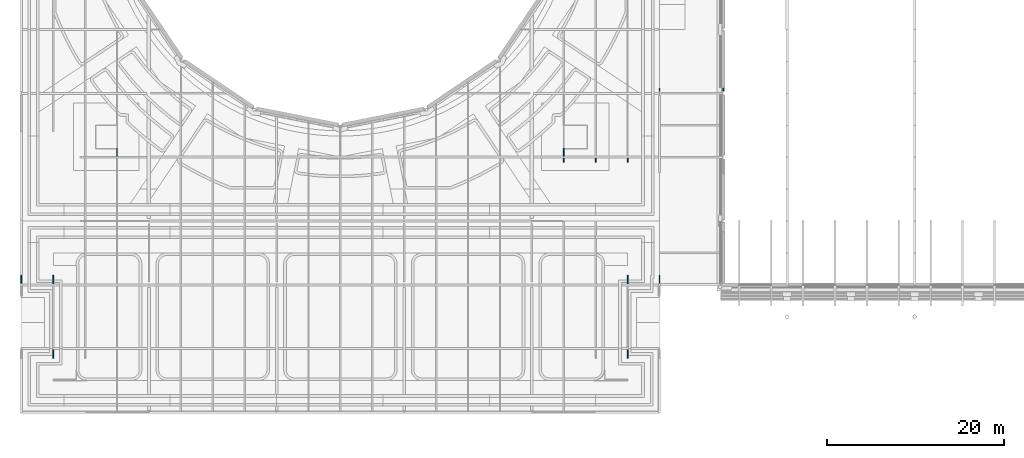
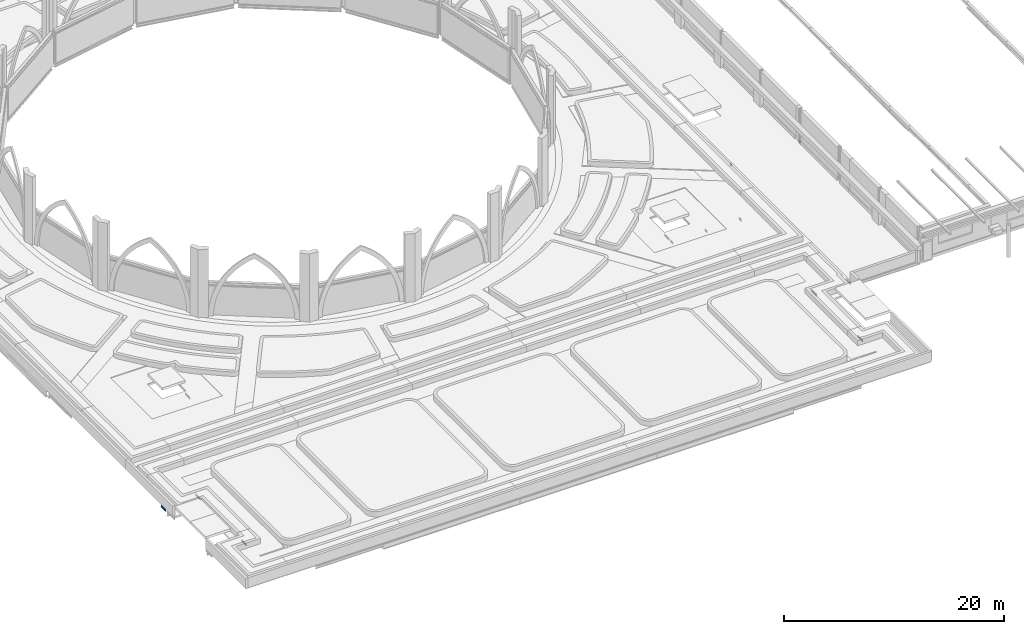
# One storey, part 33 of 110: 13 beams.
"""IFC4 building model written with IfcOpenShell, lengths in metres."""

import ifcopenshell
import ifcopenshell.guid

model = None  # the IFC model being written
_history = None  # IfcOwnerHistory: only IFC2X3 demands one
_inside = {}  # id of a spatial element -> (the spatial element, [elements in it])
_under = {}  # id of a project, library or spatial element -> (it, [spatial elements below it])
_declared = {}  # id of a project -> (the project, [libraries it declares])
_typed = {}  # id of a type object -> (the type object, [elements of that type])
_made_of = {}  # id of a material, layer set ... -> (it, [elements and type objects made of it])


def new_model(schema):
    """Start an empty IFC model of exactly this schema.

    Asked for "IFC4X3", IfcOpenShell would pick the latest addendum, in which some entities
    have other attributes; the version numbers below select the first issue.
    IFC2X3 requires an IfcOwnerHistory on every rooted entity: one is made here for all.
    """
    global model, _history
    if schema == "IFC4X3":
        model = ifcopenshell.file(schema_version=(4, 3, 0, 0))
    else:
        model = ifcopenshell.file(schema=schema)
    _inside.clear()
    _under.clear()
    _declared.clear()
    _typed.clear()
    _made_of.clear()
    _history = None
    if model.schema == "IFC2X3":
        org = make("IfcOrganization", Name="unknown")
        user = make(
            "IfcPersonAndOrganization",
            ThePerson=make("IfcPerson", FamilyName="unknown"),
            TheOrganization=org,
        )
        app = make(
            "IfcApplication",
            ApplicationDeveloper=org,
            Version="unknown",
            ApplicationFullName="unknown",
            ApplicationIdentifier="unknown",
        )
        _history = make(
            "IfcOwnerHistory",
            OwningUser=user,
            OwningApplication=app,
            ChangeAction="ADDED",
            CreationDate=0,
        )
    return model


def make(cls, **values):
    """One entity of the class cls with the attributes given. An attribute that is None is left unset."""
    return model.create_entity(
        cls, **{name: value for name, value in values.items() if value is not None}
    )


def rooted(cls, **values):
    """An entity with a GlobalId (a new one), such as an element, a storey or a relation."""
    return make(cls, GlobalId=ifcopenshell.guid.new(), OwnerHistory=_history, **values)


def si_unit(unit_type, name, prefix=None):
    """IfcSIUnit, for example si_unit("LENGTHUNIT", "METRE", prefix="MILLI")."""
    return make("IfcSIUnit", UnitType=unit_type, Prefix=prefix, Name=name)


def assignment(units):
    """IfcUnitAssignment: the units of a project."""
    return None if units is None else make("IfcUnitAssignment", Units=units)


def point(xyz):
    """IfcCartesianPoint."""
    return None if xyz is None else make("IfcCartesianPoint", Coordinates=xyz)


def direction(xyz):
    """IfcDirection."""
    return None if xyz is None else make("IfcDirection", DirectionRatios=xyz)


def frame(location, z_axis=None, x_axis=None):
    """IfcAxis2Placement3D, a coordinate frame: its origin and axes. An axis left out is left unset."""
    return make(
        "IfcAxis2Placement3D",
        Location=point(location),
        Axis=direction(z_axis),
        RefDirection=direction(x_axis),
    )


def frame_2d(location, x_axis=None):
    """IfcAxis2Placement2D, a coordinate frame in the plane: its origin and x axis."""
    return make(
        "IfcAxis2Placement2D", Location=point(location), RefDirection=direction(x_axis)
    )


def origin():
    """The frame at (0, 0, 0) with its axes left unset."""
    return frame((0.0, 0.0, 0.0))


def origin_2d():
    """The frame at (0, 0) in the plane with its x axis left unset."""
    return frame_2d((0.0, 0.0))


def place(relative_to, where):
    """IfcLocalPlacement: puts the frame where relative to a parent placement (None: the world)."""
    return make(
        "IfcLocalPlacement", PlacementRelTo=relative_to, RelativePlacement=where
    )


def context(
    kind, dimensions, precision=None, world=None, true_north=None, identifier=None
):
    """IfcGeometricRepresentationContext, for example the 3D "Model" context."""
    return make(
        "IfcGeometricRepresentationContext",
        ContextIdentifier=identifier,
        ContextType=kind,
        CoordinateSpaceDimension=dimensions,
        Precision=precision,
        WorldCoordinateSystem=world,
        TrueNorth=true_north,
    )


def subcontext(parent, identifier, kind, view, scale=None):
    """IfcGeometricRepresentationSubContext, for example "Body" below "Model"."""
    return make(
        "IfcGeometricRepresentationSubContext",
        ContextIdentifier=identifier,
        ContextType=kind,
        ParentContext=parent,
        TargetScale=scale,
        TargetView=view,
    )


def project(units=None, contexts=None):
    """IfcProject with its units and contexts."""
    return rooted(
        "IfcProject",
        Name="project",
        RepresentationContexts=contexts,
        UnitsInContext=assignment(units),
    )


def spatial(cls, under=None, at=None, **own):
    """A site, building, storey or space (cls), placed at a placement, below another one or the project."""
    s = rooted(cls, ObjectPlacement=at, **own)
    if under is not None:
        _under.setdefault(under.id(), (under, []))[1].append(s)
    return s


def profile(cls, at=None, kind="AREA", **sizes):
    """A parametric profile (cls). Its sizes go by their IFC names, for example OverallWidth=200.0."""
    return make(cls, ProfileType=kind, Position=at, **sizes)


def i_section(**sizes):
    """IfcIShapeProfileDef."""
    return profile("IfcIShapeProfileDef", **sizes)


def extrude(swept, where, along, depth):
    """IfcExtrudedAreaSolid: the profile swept, set in the frame where, extruded along a direction by depth."""
    return make(
        "IfcExtrudedAreaSolid",
        SweptArea=swept,
        Position=where,
        ExtrudedDirection=direction(along),
        Depth=depth,
    )


def shape(context_of_items, identifier, shape_type, items):
    """IfcShapeRepresentation: the items that make up one representation, for example the "Body"."""
    return make(
        "IfcShapeRepresentation",
        ContextOfItems=context_of_items,
        RepresentationIdentifier=identifier,
        RepresentationType=shape_type,
        Items=items,
    )


def material(Name=None, Category=None):
    """IfcMaterial."""
    return make("IfcMaterial", Name=Name, Category=Category)


def material_profile(
    of_material, cross_section, Name=None, Category=None, Priority=None
):
    """IfcMaterialProfile: a cross section and its material."""
    return make(
        "IfcMaterialProfile",
        Name=Name,
        Material=of_material,
        Profile=cross_section,
        Priority=Priority,
        Category=Category,
    )


def profile_set(profiles, Name=None, composite=None):
    """IfcMaterialProfileSet."""
    return make(
        "IfcMaterialProfileSet",
        Name=Name,
        MaterialProfiles=profiles,
        CompositeProfile=composite,
    )


def made_of(thing, what):
    """Note that an element or type object is made of a material, layer set ...; save() writes the relation."""
    if what is not None:
        _made_of.setdefault(what.id(), (what, []))[1].append(thing)
    return thing


def type_object(cls, material=None, **own):
    """A type object (cls), such as IfcWallType, which elements share."""
    return made_of(rooted(cls, **own), material)


def element(
    cls,
    number,
    at=None,
    inside=None,
    cuts=None,
    type_object=None,
    material=None,
    context=None,
    identifier="Body",
    shape_type=None,
    held_by="IfcProductDefinitionShape",
    body=None,
    shapes=None,
    **own,
):
    """One element of the class cls, such as IfcWall. Its Tag is "e" and its number.

    at: its placement. inside: the storey or other place that contains it. cuts: it is an
    opening in that element (IfcRelVoidsElement). A single representation is given by context,
    identifier, shape_type and body (its items); several are given by shapes. held_by: the class
    of the entity that holds the representations. save() writes the other relations.
    """
    e = rooted(cls, Tag="e%d" % number, ObjectPlacement=at, **own)
    if body is not None:
        shapes = [shape(context, identifier, shape_type, body)]
    if shapes is not None:
        e.Representation = make(held_by, Representations=shapes)
    if inside is not None:
        _inside.setdefault(inside.id(), (inside, []))[1].append(e)
    if cuts is not None:
        rooted(
            "IfcRelVoidsElement", RelatingBuildingElement=cuts, RelatedOpeningElement=e
        )
    if type_object is not None:
        _typed.setdefault(type_object.id(), (type_object, []))[1].append(e)
    return made_of(e, material)


def aggregate(whole, parts):
    """IfcRelAggregates: a whole, such as a stair, and the parts it consists of."""
    return rooted("IfcRelAggregates", RelatingObject=whole, RelatedObjects=parts)


def save(model, path):
    """Write the relations noted so far, then the file.

    IfcRelAggregates (storeys below a building ...), IfcRelContainedInSpatialStructure (elements
    in a storey), IfcRelDefinesByType, IfcRelAssociatesMaterial and IfcRelDeclares: one each for
    every whole, place, type object, material and project.
    """
    for whole, parts in _under.values():
        aggregate(whole, parts)
    for where, things in _inside.values():
        rooted(
            "IfcRelContainedInSpatialStructure",
            RelatedElements=things,
            RelatingStructure=where,
        )
    for kind, things in _typed.values():
        rooted("IfcRelDefinesByType", RelatedObjects=things, RelatingType=kind)
    for what, things in _made_of.values():
        rooted("IfcRelAssociatesMaterial", RelatedObjects=things, RelatingMaterial=what)
    for by, libraries in _declared.values():
        rooted("IfcRelDeclares", RelatingContext=by, RelatedDefinitions=libraries)
    model.write(path)


model = new_model("IFC4")

# Units and contexts
model_context = context("Model", 3, precision=1e-05, world=origin(), true_north=direction((0.0, 1.0)))
body_context = subcontext(model_context, "Body", "Model", "MODEL_VIEW")
ifc_project = project(units=[si_unit("LENGTHUNIT", "METRE"), si_unit("AREAUNIT", "SQUARE_METRE"), si_unit("VOLUMEUNIT", "CUBIC_METRE"), si_unit("PLANEANGLEUNIT", "RADIAN"), si_unit("MASSUNIT", "GRAM", prefix="KILO")], contexts=[model_context])

# Site, building, storey
site_placement = place(None, origin())
site = spatial("IfcSite", under=ifc_project, at=site_placement, CompositionType="ELEMENT")
building_placement = place(site_placement, origin())
building = spatial("IfcBuilding", under=site, at=building_placement, Name="Kupolbacken Congress Centre", CompositionType="ELEMENT")
storey_placement = place(building_placement, frame((0.0, 0.0, 18.0)))
storey = spatial("IfcBuildingStorey", under=building, at=storey_placement, Name="L05", CompositionType="ELEMENT", Elevation=18.0)

# Beams
ifc_material = material(Name="Steel S355", Category="steel")
ifc_material_profile = material_profile(ifc_material, i_section(OverallWidth=0.10009765625, OverallDepth=0.199951171875, WebThickness=0.005615234375, FlangeThickness=0.008544921875, FilletRadius=0.011962890625, at=origin_2d()), Name="IPE 200")
ifc_profile_set = profile_set([ifc_material_profile], Name="Steel S355")
beam_type = type_object("IfcBeamType", Name="B01 beam IPE 200", PredefinedType="BEAM", material=ifc_profile_set)
for number, where, z_axis, x_axis, name in (
    (1, (7.199951171875, 43.35009765625, -0.280029296875), (0.0, 1.0, 0.0), (-1.0, 0.0, 0.0), "S/floor/F/L05/G003"),
    (2, (79.199951171875, 43.35009765625, -0.280029296875), (0.0, 1.0, 0.0), (-1.0, 0.0, 0.0), "S/floor/F/L05/G014"),
):
    element("IfcBeam", number, at=place(storey_placement, frame(where, z_axis=z_axis, x_axis=x_axis)), inside=storey, type_object=beam_type, Name=name, PredefinedType="BEAM", context=body_context, shape_type="SweptSolid", body=[
        extrude(i_section(OverallWidth=0.10009765625, OverallDepth=0.199951171875, WebThickness=0.005615234375, FlangeThickness=0.008544921875, FilletRadius=0.011962890625, at=origin_2d()), origin(), (0.0, 0.0, 1.0), 0.9248046875),
    ])
for number, where, z_axis, x_axis, name in (
    (3, (10.800048828125, 34.925048828125, -0.280029296875), (0.0, 1.0, 0.0), (-1.0, 0.0, 0.0), "S/floor/F/L05/S035"),
    (4, (10.800048828125, 43.31005859375, -0.280029296875), (0.0, 1.0, 0.0), (-1.0, 0.0, 0.0), "S/floor/F/L05/S037"),
    (5, (75.60009765625, 34.925048828125, -0.280029296875), (0.0, 1.0, 0.0), (-1.0, 0.0, 0.0), "S/floor/F/L05/S077"),
    (6, (75.60009765625, 43.31005859375, -0.280029296875), (0.0, 1.0, 0.0), (-1.0, 0.0, 0.0), "S/floor/F/L05/S079"),
):
    element("IfcBeam", number, at=place(storey_placement, frame(where, z_axis=z_axis, x_axis=x_axis)), inside=storey, type_object=beam_type, Name=name, PredefinedType="BEAM", context=body_context, shape_type="SweptSolid", body=[
        extrude(i_section(OverallWidth=0.10009765625, OverallDepth=0.199951171875, WebThickness=0.005615234375, FlangeThickness=0.008544921875, FilletRadius=0.011962890625, at=origin_2d()), origin(), (0.0, 0.0, 1.0), 0.96484375),
    ])
beam_1_placement = place(storey_placement, frame((79.199951171875, 65.02490234375, -0.280029296875), z_axis=(0.0, 1.0, 0.0), x_axis=(-1.0, 0.0, 0.0)))
element("IfcBeam", 7, at=beam_1_placement, inside=storey, type_object=beam_type, Name="S/floor/P/L05/G033", PredefinedType="BEAM", context=body_context, shape_type="SweptSolid", body=[
    extrude(i_section(OverallWidth=0.10009765625, OverallDepth=0.199951171875, WebThickness=0.005615234375, FlangeThickness=0.008544921875, FilletRadius=0.011962890625, at=origin_2d()), origin(), (0.0, 0.0, 1.0), 0.35009765625),
])
for number, where, z_axis, x_axis, name in (
    (8, (72.0, 57.02490234375, -0.280029296875), (0.0, 1.0, 0.0), (-1.0, 0.0, 0.0), "S/floor/P/L05/S140"),
    (9, (75.60009765625, 57.02490234375, -0.280029296875), (0.0, 1.0, 0.0), (-1.0, 0.0, 0.0), "S/floor/P/L05/S151"),
):
    element("IfcBeam", number, at=place(storey_placement, frame(where, z_axis=z_axis, x_axis=x_axis)), inside=storey, type_object=beam_type, Name=name, PredefinedType="BEAM", context=body_context, shape_type="SweptSolid", body=[
        extrude(i_section(OverallWidth=0.10009765625, OverallDepth=0.199951171875, WebThickness=0.005615234375, FlangeThickness=0.008544921875, FilletRadius=0.011962890625, at=origin_2d()), origin(), (0.0, 0.0, 1.0), 0.465087890625),
    ])
beam_2_placement = place(storey_placement, frame((18.0, 57.679931640625, -0.280029296875), z_axis=(0.0, 1.0, 0.0), x_axis=(-1.0, 0.0, 0.0)))
element("IfcBeam", 10, at=beam_2_placement, inside=storey, type_object=beam_type, Name="S/floor/P/L05/S162", PredefinedType="BEAM", context=body_context, shape_type="SweptSolid", body=[
    extrude(i_section(OverallWidth=0.10009765625, OverallDepth=0.199951171875, WebThickness=0.005615234375, FlangeThickness=0.008544921875, FilletRadius=0.011962890625, at=origin_2d()), origin(), (0.0, 0.0, 1.0), 0.920166015625),
])
beam_3_placement = place(storey_placement, frame((68.39990234375, 57.02490234375, -0.280029296875), z_axis=(0.0, 1.0, 0.0), x_axis=(-1.0, 0.0, 0.0)))
element("IfcBeam", 11, at=beam_3_placement, inside=storey, type_object=beam_type, Name="S/floor/P/L05/S165", PredefinedType="BEAM", context=body_context, shape_type="SweptSolid", body=[
    extrude(i_section(OverallWidth=0.10009765625, OverallDepth=0.199951171875, WebThickness=0.005615234375, FlangeThickness=0.008544921875, FilletRadius=0.011962890625, at=origin_2d()), origin(), (0.0, 0.0, 1.0), 0.465087890625),
])
beam_4_placement = place(storey_placement, frame((68.39990234375, 57.7099609375, -0.280029296875), z_axis=(0.0, 1.0, 0.0), x_axis=(-1.0, 0.0, 0.0)))
element("IfcBeam", 12, at=beam_4_placement, inside=storey, type_object=beam_type, Name="S/floor/P/L05/S166", PredefinedType="BEAM", context=body_context, shape_type="SweptSolid", body=[
    extrude(i_section(OverallWidth=0.10009765625, OverallDepth=0.199951171875, WebThickness=0.005615234375, FlangeThickness=0.008544921875, FilletRadius=0.011962890625, at=origin_2d()), origin(), (0.0, 0.0, 1.0), 0.89013671875),
])
beam_5_placement = place(storey_placement, frame((86.39990234375, 65.044921875, -0.280029296875), z_axis=(0.0, 1.0, 0.0), x_axis=(-1.0, 0.0, 0.0)))
element("IfcBeam", 13, at=beam_5_placement, inside=storey, type_object=beam_type, Name="S/floor/LINK/L05/E004", PredefinedType="BEAM", context=body_context, shape_type="SweptSolid", body=[
    extrude(i_section(OverallWidth=0.10009765625, OverallDepth=0.199951171875, WebThickness=0.005615234375, FlangeThickness=0.008544921875, FilletRadius=0.011962890625, at=origin_2d()), origin(), (0.0, 0.0, 1.0), 0.35498046875),
])

save(model, "model.ifc")
